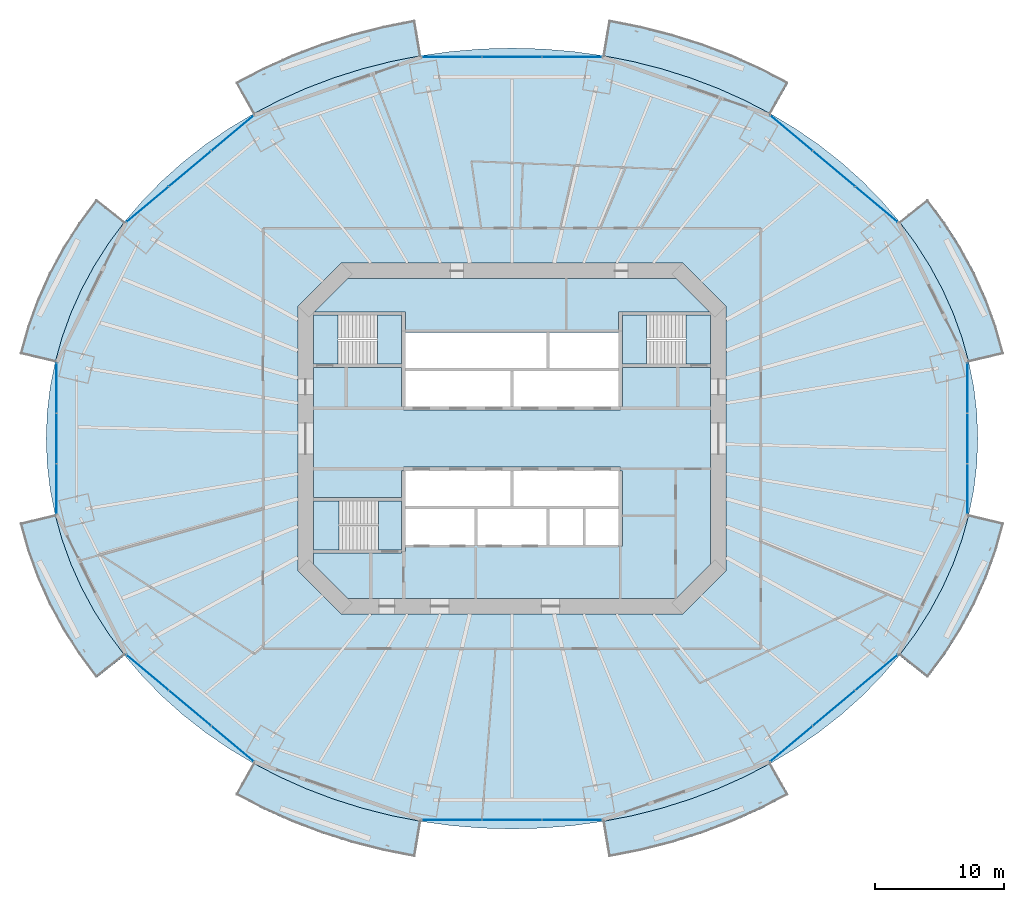
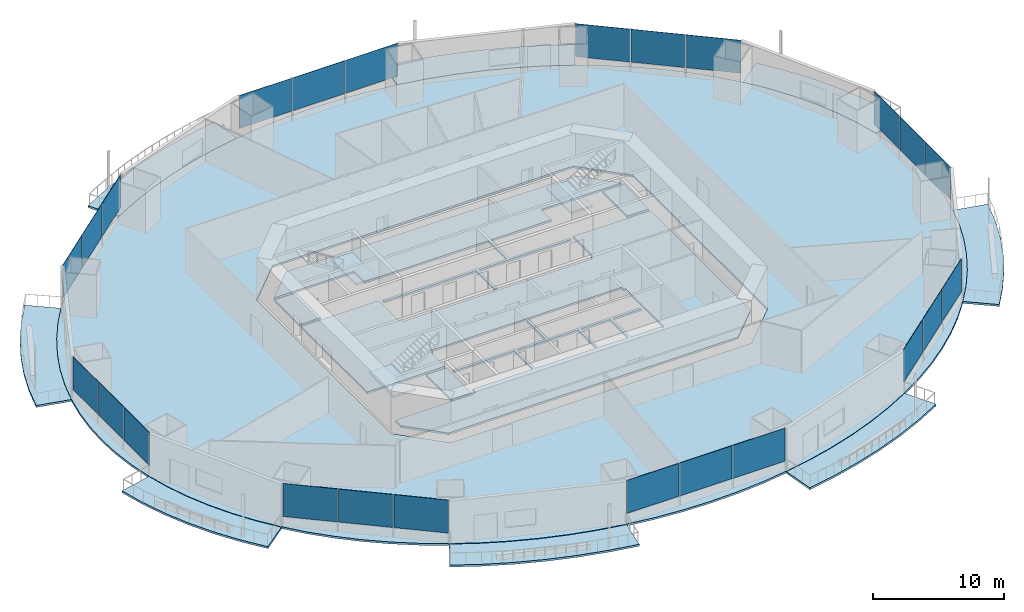
# One storey, part 13 of 23: 24 plates, 17 slabs, 11 elements without a shape of their own.
"""IFC4 building model written with IfcOpenShell, lengths in metres."""

import ifcopenshell
import ifcopenshell.guid

model = None  # the IFC model being written
_history = None  # IfcOwnerHistory: only IFC2X3 demands one
_inside = {}  # id of a spatial element -> (the spatial element, [elements in it])
_under = {}  # id of a project, library or spatial element -> (it, [spatial elements below it])
_declared = {}  # id of a project -> (the project, [libraries it declares])
_typed = {}  # id of a type object -> (the type object, [elements of that type])
_made_of = {}  # id of a material, layer set ... -> (it, [elements and type objects made of it])


def new_model(schema):
    """Start an empty IFC model of exactly this schema.

    Asked for "IFC4X3", IfcOpenShell would pick the latest addendum, in which some entities
    have other attributes; the version numbers below select the first issue.
    IFC2X3 requires an IfcOwnerHistory on every rooted entity: one is made here for all.
    """
    global model, _history
    if schema == "IFC4X3":
        model = ifcopenshell.file(schema_version=(4, 3, 0, 0))
    else:
        model = ifcopenshell.file(schema=schema)
    _inside.clear()
    _under.clear()
    _declared.clear()
    _typed.clear()
    _made_of.clear()
    _history = None
    if model.schema == "IFC2X3":
        org = make("IfcOrganization", Name="unknown")
        user = make(
            "IfcPersonAndOrganization",
            ThePerson=make("IfcPerson", FamilyName="unknown"),
            TheOrganization=org,
        )
        app = make(
            "IfcApplication",
            ApplicationDeveloper=org,
            Version="unknown",
            ApplicationFullName="unknown",
            ApplicationIdentifier="unknown",
        )
        _history = make(
            "IfcOwnerHistory",
            OwningUser=user,
            OwningApplication=app,
            ChangeAction="ADDED",
            CreationDate=0,
        )
    return model


def make(cls, **values):
    """One entity of the class cls with the attributes given. An attribute that is None is left unset."""
    return model.create_entity(
        cls, **{name: value for name, value in values.items() if value is not None}
    )


def rooted(cls, **values):
    """An entity with a GlobalId (a new one), such as an element, a storey or a relation."""
    return make(cls, GlobalId=ifcopenshell.guid.new(), OwnerHistory=_history, **values)


def si_unit(unit_type, name, prefix=None):
    """IfcSIUnit, for example si_unit("LENGTHUNIT", "METRE", prefix="MILLI")."""
    return make("IfcSIUnit", UnitType=unit_type, Prefix=prefix, Name=name)


def assignment(units):
    """IfcUnitAssignment: the units of a project."""
    return None if units is None else make("IfcUnitAssignment", Units=units)


def point(xyz):
    """IfcCartesianPoint."""
    return None if xyz is None else make("IfcCartesianPoint", Coordinates=xyz)


def direction(xyz):
    """IfcDirection."""
    return None if xyz is None else make("IfcDirection", DirectionRatios=xyz)


def frame(location, z_axis=None, x_axis=None):
    """IfcAxis2Placement3D, a coordinate frame: its origin and axes. An axis left out is left unset."""
    return make(
        "IfcAxis2Placement3D",
        Location=point(location),
        Axis=direction(z_axis),
        RefDirection=direction(x_axis),
    )


def frame_2d(location, x_axis=None):
    """IfcAxis2Placement2D, a coordinate frame in the plane: its origin and x axis."""
    return make(
        "IfcAxis2Placement2D", Location=point(location), RefDirection=direction(x_axis)
    )


def origin():
    """The frame at (0, 0, 0) with its axes left unset."""
    return frame((0.0, 0.0, 0.0))


def origin_2d():
    """The frame at (0, 0) in the plane with its x axis left unset."""
    return frame_2d((0.0, 0.0))


def place(relative_to, where):
    """IfcLocalPlacement: puts the frame where relative to a parent placement (None: the world)."""
    return make(
        "IfcLocalPlacement", PlacementRelTo=relative_to, RelativePlacement=where
    )


def context(
    kind, dimensions, precision=None, world=None, true_north=None, identifier=None
):
    """IfcGeometricRepresentationContext, for example the 3D "Model" context."""
    return make(
        "IfcGeometricRepresentationContext",
        ContextIdentifier=identifier,
        ContextType=kind,
        CoordinateSpaceDimension=dimensions,
        Precision=precision,
        WorldCoordinateSystem=world,
        TrueNorth=true_north,
    )


def subcontext(parent, identifier, kind, view, scale=None):
    """IfcGeometricRepresentationSubContext, for example "Body" below "Model"."""
    return make(
        "IfcGeometricRepresentationSubContext",
        ContextIdentifier=identifier,
        ContextType=kind,
        ParentContext=parent,
        TargetScale=scale,
        TargetView=view,
    )


def project(units=None, contexts=None):
    """IfcProject with its units and contexts."""
    return rooted(
        "IfcProject",
        Name="project",
        RepresentationContexts=contexts,
        UnitsInContext=assignment(units),
    )


def spatial(cls, under=None, at=None, **own):
    """A site, building, storey or space (cls), placed at a placement, below another one or the project."""
    s = rooted(cls, ObjectPlacement=at, **own)
    if under is not None:
        _under.setdefault(under.id(), (under, []))[1].append(s)
    return s


def polyline(points):
    """IfcPolyline through the points."""
    return make("IfcPolyline", Points=[point(p) for p in points])


def profile(cls, at=None, kind="AREA", **sizes):
    """A parametric profile (cls). Its sizes go by their IFC names, for example OverallWidth=200.0."""
    return make(cls, ProfileType=kind, Position=at, **sizes)


def rectangle(**sizes):
    """IfcRectangleProfileDef."""
    return profile("IfcRectangleProfileDef", **sizes)


def outline(outer, holes=None, kind="AREA"):
    """IfcArbitraryClosedProfileDef: a profile drawn as a closed curve; with holes, ...WithVoids."""
    if holes is None:
        return make("IfcArbitraryClosedProfileDef", ProfileType=kind, OuterCurve=outer)
    return make(
        "IfcArbitraryProfileDefWithVoids",
        ProfileType=kind,
        OuterCurve=outer,
        InnerCurves=holes,
    )


def extrude(swept, where, along, depth):
    """IfcExtrudedAreaSolid: the profile swept, set in the frame where, extruded along a direction by depth."""
    return make(
        "IfcExtrudedAreaSolid",
        SweptArea=swept,
        Position=where,
        ExtrudedDirection=direction(along),
        Depth=depth,
    )


def shape(context_of_items, identifier, shape_type, items):
    """IfcShapeRepresentation: the items that make up one representation, for example the "Body"."""
    return make(
        "IfcShapeRepresentation",
        ContextOfItems=context_of_items,
        RepresentationIdentifier=identifier,
        RepresentationType=shape_type,
        Items=items,
    )


def material(Name=None, Category=None):
    """IfcMaterial."""
    return make("IfcMaterial", Name=Name, Category=Category)


def layer(
    of_material, thickness, ventilated=None, Name=None, Category=None, Priority=None
):
    """IfcMaterialLayer: one layer of a wall or slab, of a material (None: an air gap)."""
    return make(
        "IfcMaterialLayer",
        Material=of_material,
        LayerThickness=thickness,
        IsVentilated=ventilated,
        Name=Name,
        Category=Category,
        Priority=Priority,
    )


def layer_set(layers, Name=None):
    """IfcMaterialLayerSet."""
    return make("IfcMaterialLayerSet", MaterialLayers=layers, LayerSetName=Name)


def made_of(thing, what):
    """Note that an element or type object is made of a material, layer set ...; save() writes the relation."""
    if what is not None:
        _made_of.setdefault(what.id(), (what, []))[1].append(thing)
    return thing


def type_object(cls, material=None, **own):
    """A type object (cls), such as IfcWallType, which elements share."""
    return made_of(rooted(cls, **own), material)


def element(
    cls,
    number,
    at=None,
    inside=None,
    cuts=None,
    type_object=None,
    material=None,
    context=None,
    identifier="Body",
    shape_type=None,
    held_by="IfcProductDefinitionShape",
    body=None,
    shapes=None,
    **own,
):
    """One element of the class cls, such as IfcWall. Its Tag is "e" and its number.

    at: its placement. inside: the storey or other place that contains it. cuts: it is an
    opening in that element (IfcRelVoidsElement). A single representation is given by context,
    identifier, shape_type and body (its items); several are given by shapes. held_by: the class
    of the entity that holds the representations. save() writes the other relations.
    """
    e = rooted(cls, Tag="e%d" % number, ObjectPlacement=at, **own)
    if body is not None:
        shapes = [shape(context, identifier, shape_type, body)]
    if shapes is not None:
        e.Representation = make(held_by, Representations=shapes)
    if inside is not None:
        _inside.setdefault(inside.id(), (inside, []))[1].append(e)
    if cuts is not None:
        rooted(
            "IfcRelVoidsElement", RelatingBuildingElement=cuts, RelatedOpeningElement=e
        )
    if type_object is not None:
        _typed.setdefault(type_object.id(), (type_object, []))[1].append(e)
    return made_of(e, material)


def aggregate(whole, parts):
    """IfcRelAggregates: a whole, such as a stair, and the parts it consists of."""
    return rooted("IfcRelAggregates", RelatingObject=whole, RelatedObjects=parts)


def save(model, path):
    """Write the relations noted so far, then the file.

    IfcRelAggregates (storeys below a building ...), IfcRelContainedInSpatialStructure (elements
    in a storey), IfcRelDefinesByType, IfcRelAssociatesMaterial and IfcRelDeclares: one each for
    every whole, place, type object, material and project.
    """
    for whole, parts in _under.values():
        aggregate(whole, parts)
    for where, things in _inside.values():
        rooted(
            "IfcRelContainedInSpatialStructure",
            RelatedElements=things,
            RelatingStructure=where,
        )
    for kind, things in _typed.values():
        rooted("IfcRelDefinesByType", RelatedObjects=things, RelatingType=kind)
    for what, things in _made_of.values():
        rooted("IfcRelAssociatesMaterial", RelatedObjects=things, RelatingMaterial=what)
    for by, libraries in _declared.values():
        rooted("IfcRelDeclares", RelatingContext=by, RelatedDefinitions=libraries)
    model.write(path)


model = new_model("IFC4")

# Units and contexts
model_context = context("Model", 3, precision=1e-05, world=origin(), true_north=direction((0.0, 1.0)))
body_context = subcontext(model_context, "Body", "Model", "MODEL_VIEW")
ifc_project = project(units=[si_unit("LENGTHUNIT", "METRE"), si_unit("AREAUNIT", "SQUARE_METRE"), si_unit("VOLUMEUNIT", "CUBIC_METRE"), si_unit("PLANEANGLEUNIT", "RADIAN"), si_unit("MASSUNIT", "GRAM", prefix="KILO")], contexts=[model_context])

# Site, building, storey
site_placement = place(None, origin())
site = spatial("IfcSite", under=ifc_project, at=site_placement, CompositionType="ELEMENT")
building_placement = place(site_placement, origin())
building = spatial("IfcBuilding", under=site, at=building_placement, Name="Marenthal Gate Tower", CompositionType="ELEMENT")
storey_placement = place(building_placement, frame((0.0, 0.0, 66.199951171875)))
storey = spatial("IfcBuildingStorey", under=building, at=storey_placement, Name="L12", CompositionType="ELEMENT", Elevation=66.199951171875)

# Slabs
ifc_material_1 = material(Name="Concrete 40 MPa", Category="concrete")
ifc_layer_1 = layer(ifc_material_1, 0.179931640625)
ifc_layer_set_1 = layer_set([ifc_layer_1], Name="Balcony deck 180")
slab_type_1 = type_object("IfcSlabType", Name="Balcony deck 180", PredefinedType="USERDEFINED", material=ifc_layer_set_1)
slab_1_placement = place(storey_placement, frame((0.0, 0.0, -0.219970703125)))
element("IfcSlab", 1, at=slab_1_placement, inside=storey, type_object=slab_type_1, Name="Balcony deck L12 bay 1", ObjectType="BALCONY", PredefinedType="USERDEFINED", context=body_context, shape_type="SweptSolid", body=[
    extrude(outline(polyline([(35.421142578125, 5.9052734375), (34.884521484375, 7.834228515625), (34.198486328125, 9.729736328125), (33.365966796875, 11.58349609375), (32.390625, 13.3876953125), (31.276611328125, 15.134521484375), (30.028564453125, 16.816650390625), (32.2177734375, 18.56201171875), (33.582275390625, 16.722900390625), (34.803955078125, 14.8076171875), (35.8759765625, 12.823974609375), (36.793701171875, 10.78076171875), (37.551513671875, 8.686767578125), (38.1455078125, 6.5517578125), (35.421142578125, 5.9052734375)])), origin(), (0.0, 0.0, 1.0), 0.179931640625),
])
slab_2_placement = place(storey_placement, frame((0.0, 0.0, -0.219970703125)))
element("IfcSlab", 2, at=slab_2_placement, inside=storey, type_object=slab_type_1, Name="Balcony deck L12 bay 3", ObjectType="BALCONY", PredefinedType="USERDEFINED", context=body_context, shape_type="SweptSolid", body=[
    extrude(outline(polyline([(20.064453125, 25.167724609375), (18.0576171875, 26.213623046875), (15.973388671875, 27.1474609375), (13.820556640625, 27.96484375), (11.60888671875, 28.66259765625), (9.34716796875, 29.237548828125), (7.045654296875, 29.6875), (7.506103515625, 32.44921875), (9.960693359375, 31.969482421875), (12.375, 31.355712890625), (14.739013671875, 30.610107421875), (17.042724609375, 29.735107421875), (19.277099609375, 28.734130859375), (21.4326171875, 27.61083984375), (20.064453125, 25.167724609375)])), origin(), (0.0, 0.0, 1.0), 0.179931640625),
])
slab_3_placement = place(storey_placement, frame((0.0, 0.0, -0.219970703125)))
element("IfcSlab", 3, at=slab_3_placement, inside=storey, type_object=slab_type_1, Name="Balcony deck L12 bay 5", ObjectType="BALCONY", PredefinedType="USERDEFINED", context=body_context, shape_type="SweptSolid", body=[
    extrude(outline(polyline([(-7.045654296875, 29.6875), (-9.34716796875, 29.237548828125), (-11.60888671875, 28.66259765625), (-13.820556640625, 27.96484375), (-15.973388671875, 27.1474609375), (-18.0576171875, 26.213623046875), (-20.064453125, 25.167724609375), (-21.4326171875, 27.61083984375), (-19.277099609375, 28.734130859375), (-17.042724609375, 29.735107421875), (-14.739013671875, 30.610107421875), (-12.375, 31.355712890625), (-9.960693359375, 31.969482421875), (-7.506103515625, 32.44921875), (-7.045654296875, 29.6875)])), origin(), (0.0, 0.0, 1.0), 0.179931640625),
])
slab_4_placement = place(storey_placement, frame((0.0, 0.0, -0.219970703125)))
element("IfcSlab", 4, at=slab_4_placement, inside=storey, type_object=slab_type_1, Name="Balcony deck L12 bay 7", ObjectType="BALCONY", PredefinedType="USERDEFINED", context=body_context, shape_type="SweptSolid", body=[
    extrude(outline(polyline([(-30.028564453125, 16.816650390625), (-31.276611328125, 15.134521484375), (-32.390625, 13.3876953125), (-33.365966796875, 11.58349609375), (-34.198486328125, 9.729736328125), (-34.884521484375, 7.834228515625), (-35.421142578125, 5.9052734375), (-38.1455078125, 6.5517578125), (-37.551513671875, 8.686767578125), (-36.793701171875, 10.78076171875), (-35.8759765625, 12.823974609375), (-34.803955078125, 14.8076171875), (-33.582275390625, 16.722900390625), (-32.2177734375, 18.56201171875), (-30.028564453125, 16.816650390625)])), origin(), (0.0, 0.0, 1.0), 0.179931640625),
])
slab_5_placement = place(storey_placement, frame((0.0, 0.0, -0.219970703125)))
element("IfcSlab", 5, at=slab_5_placement, inside=storey, type_object=slab_type_1, Name="Balcony deck L12 bay 9", ObjectType="BALCONY", PredefinedType="USERDEFINED", context=body_context, shape_type="SweptSolid", body=[
    extrude(outline(polyline([(-35.421142578125, -5.9052734375), (-34.884521484375, -7.834228515625), (-34.198486328125, -9.729736328125), (-33.365966796875, -11.58349609375), (-32.390625, -13.3876953125), (-31.276611328125, -15.134521484375), (-30.028564453125, -16.816650390625), (-32.2177734375, -18.56201171875), (-33.582275390625, -16.722900390625), (-34.803955078125, -14.8076171875), (-35.8759765625, -12.823974609375), (-36.793701171875, -10.78076171875), (-37.551513671875, -8.686767578125), (-38.1455078125, -6.5517578125), (-35.421142578125, -5.9052734375)])), origin(), (0.0, 0.0, 1.0), 0.179931640625),
])
slab_6_placement = place(storey_placement, frame((0.0, 0.0, -0.219970703125)))
element("IfcSlab", 6, at=slab_6_placement, inside=storey, type_object=slab_type_1, Name="Balcony deck L12 bay 11", ObjectType="BALCONY", PredefinedType="USERDEFINED", context=body_context, shape_type="SweptSolid", body=[
    extrude(outline(polyline([(-20.064453125, -25.167724609375), (-18.0576171875, -26.213623046875), (-15.973388671875, -27.1474609375), (-13.820556640625, -27.96484375), (-11.60888671875, -28.66259765625), (-9.34716796875, -29.237548828125), (-7.045654296875, -29.6875), (-7.506103515625, -32.44921875), (-9.960693359375, -31.969482421875), (-12.375, -31.355712890625), (-14.739013671875, -30.610107421875), (-17.042724609375, -29.735107421875), (-19.277099609375, -28.734130859375), (-21.4326171875, -27.61083984375), (-20.064453125, -25.167724609375)])), origin(), (0.0, 0.0, 1.0), 0.179931640625),
])
slab_7_placement = place(storey_placement, frame((0.0, 0.0, -0.219970703125)))
element("IfcSlab", 7, at=slab_7_placement, inside=storey, type_object=slab_type_1, Name="Balcony deck L12 bay 13", ObjectType="BALCONY", PredefinedType="USERDEFINED", context=body_context, shape_type="SweptSolid", body=[
    extrude(outline(polyline([(7.045654296875, -29.6875), (9.34716796875, -29.237548828125), (11.60888671875, -28.66259765625), (13.820556640625, -27.96484375), (15.973388671875, -27.1474609375), (18.0576171875, -26.213623046875), (20.064453125, -25.167724609375), (21.4326171875, -27.61083984375), (19.277099609375, -28.734130859375), (17.042724609375, -29.735107421875), (14.739013671875, -30.610107421875), (12.375, -31.355712890625), (9.960693359375, -31.969482421875), (7.506103515625, -32.44921875), (7.045654296875, -29.6875)])), origin(), (0.0, 0.0, 1.0), 0.179931640625),
])
slab_8_placement = place(storey_placement, frame((0.0, 0.0, -0.219970703125)))
element("IfcSlab", 8, at=slab_8_placement, inside=storey, type_object=slab_type_1, Name="Balcony deck L12 bay 15", ObjectType="BALCONY", PredefinedType="USERDEFINED", context=body_context, shape_type="SweptSolid", body=[
    extrude(outline(polyline([(30.028564453125, -16.816650390625), (31.276611328125, -15.134521484375), (32.390625, -13.3876953125), (33.365966796875, -11.58349609375), (34.198486328125, -9.729736328125), (34.884521484375, -7.834228515625), (35.421142578125, -5.9052734375), (38.1455078125, -6.5517578125), (37.551513671875, -8.686767578125), (36.793701171875, -10.78076171875), (35.8759765625, -12.823974609375), (34.803955078125, -14.8076171875), (33.582275390625, -16.722900390625), (32.2177734375, -18.56201171875), (30.028564453125, -16.816650390625)])), origin(), (0.0, 0.0, 1.0), 0.179931640625),
])
ifc_material_2 = material(Name="Concrete 50 MPa", Category="concrete")
ifc_layer_2 = layer(ifc_material_2, 0.179931640625)
ifc_layer_set_2 = layer_set([ifc_layer_2], Name="Core floor slab 180")
slab_type_2 = type_object("IfcSlabType", Name="Core floor slab 180", PredefinedType="FLOOR", material=ifc_layer_set_2)
slab_9_placement = place(storey_placement, frame((0.0, 0.0, -0.179931640625)))
element("IfcSlab", 9, at=slab_9_placement, inside=storey, type_object=slab_type_2, Name="Core floor L12", PredefinedType="FLOOR", context=body_context, shape_type="SweptSolid", body=[
    extrude(outline(polyline([(15.39990234375, -9.75146484375), (12.75146484375, -12.39990234375), (-12.75146484375, -12.39990234375), (-15.39990234375, -9.75146484375), (-15.39990234375, -8.875), (-8.550048828125, -8.875), (-8.550048828125, -8.75), (-8.25, -8.75), (-8.25, -8.239990234375), (-5.60009765625, -8.239990234375), (-2.909912109375, -8.239990234375), (-2.909912109375, -5.4599609375), (-5.60009765625, -5.4599609375), (-8.25, -5.4599609375), (-8.25, -5.239990234375), (-5.60009765625, -5.239990234375), (-2.800048828125, -5.239990234375), (-0.110107421875, -5.239990234375), (-0.110107421875, -2.5), (0.110107421875, -2.5), (0.110107421875, -5.239990234375), (2.800048828125, -5.239990234375), (5.60009765625, -5.239990234375), (8.25, -5.239990234375), (8.25, -5.4599609375), (5.7099609375, -5.4599609375), (5.7099609375, -8.239990234375), (8.25, -8.239990234375), (8.25, -8.35009765625), (8.550048828125, -8.35009765625), (8.550048828125, -2.5), (8.39990234375, -2.5), (8.39990234375, -2.199951171875), (-8.39990234375, -2.199951171875), (-8.39990234375, -2.5), (-8.550048828125, -2.5), (-8.550048828125, -4.574951171875), (-15.39990234375, -4.574951171875), (-15.39990234375, 5.52490234375), (-8.550048828125, 5.52490234375), (-8.550048828125, 2.5), (-8.39990234375, 2.5), (-8.39990234375, 2.199951171875), (8.39990234375, 2.199951171875), (8.39990234375, 2.5), (8.550048828125, 2.5), (8.550048828125, 5.52490234375), (15.39990234375, 5.52490234375), (15.39990234375, -9.75146484375)]), holes=[polyline([(2.68994140625, -5.4599609375), (0.0, -5.4599609375), (-2.68994140625, -5.4599609375), (-2.68994140625, -8.239990234375), (0.0, -8.239990234375), (2.68994140625, -8.239990234375), (2.68994140625, -5.4599609375)]), polyline([(5.489990234375, -5.4599609375), (2.909912109375, -5.4599609375), (2.909912109375, -8.239990234375), (5.489990234375, -8.239990234375), (5.489990234375, -5.4599609375)])]), origin(), (0.0, 0.0, 1.0), 0.179931640625),
])
slab_10_placement = place(storey_placement, frame((0.0, 0.0, -0.179931640625)))
element("IfcSlab", 10, at=slab_10_placement, inside=storey, type_object=slab_type_2, Name="Core floor L12", PredefinedType="FLOOR", context=body_context, shape_type="SweptSolid", body=[
    extrude(outline(polyline([(15.39990234375, 5.77490234375), (13.5, 5.77490234375), (13.5, 9.574951171875), (15.39990234375, 9.574951171875), (15.39990234375, 5.77490234375)])), origin(), (0.0, 0.0, 1.0), 0.179931640625),
])
slab_11_placement = place(storey_placement, frame((0.0, 0.0, -0.179931640625)))
element("IfcSlab", 11, at=slab_11_placement, inside=storey, type_object=slab_type_2, Name="Core floor L12", PredefinedType="FLOOR", context=body_context, shape_type="SweptSolid", body=[
    extrude(outline(polyline([(12.75146484375, 12.39990234375), (15.326416015625, 9.824951171875), (8.550048828125, 9.824951171875), (8.25, 9.824951171875), (8.25, 8.35009765625), (8.25, 8.239990234375), (5.60009765625, 8.239990234375), (2.909912109375, 8.239990234375), (2.909912109375, 5.4599609375), (5.60009765625, 5.4599609375), (8.25, 5.4599609375), (8.25, 5.239990234375), (5.60009765625, 5.239990234375), (2.800048828125, 5.239990234375), (0.110107421875, 5.239990234375), (0.110107421875, 2.5), (-0.110107421875, 2.5), (-0.110107421875, 5.239990234375), (-2.800048828125, 5.239990234375), (-5.60009765625, 5.239990234375), (-8.25, 5.239990234375), (-8.25, 5.4599609375), (-5.60009765625, 5.4599609375), (-2.800048828125, 5.4599609375), (0.0, 5.4599609375), (2.68994140625, 5.4599609375), (2.68994140625, 8.239990234375), (0.0, 8.239990234375), (-2.800048828125, 8.239990234375), (-5.60009765625, 8.239990234375), (-8.25, 8.239990234375), (-8.25, 8.35009765625), (-8.25, 9.824951171875), (-8.550048828125, 9.824951171875), (-15.326416015625, 9.824951171875), (-12.75146484375, 12.39990234375), (12.75146484375, 12.39990234375)])), origin(), (0.0, 0.0, 1.0), 0.179931640625),
])
slab_12_placement = place(storey_placement, frame((0.0, 0.0, -0.179931640625)))
element("IfcSlab", 12, at=slab_12_placement, inside=storey, type_object=slab_type_2, Name="Core floor L12", PredefinedType="FLOOR", context=body_context, shape_type="SweptSolid", body=[
    extrude(outline(polyline([(-15.39990234375, 9.574951171875), (-13.5, 9.574951171875), (-13.5, 5.77490234375), (-15.39990234375, 5.77490234375), (-15.39990234375, 9.574951171875)])), origin(), (0.0, 0.0, 1.0), 0.179931640625),
])
slab_13_placement = place(storey_placement, frame((0.0, 0.0, -0.179931640625)))
element("IfcSlab", 13, at=slab_13_placement, inside=storey, type_object=slab_type_2, Name="Core floor L12", PredefinedType="FLOOR", context=body_context, shape_type="SweptSolid", body=[
    extrude(outline(polyline([(-8.550048828125, -8.625), (-10.35009765625, -8.625), (-10.35009765625, -4.824951171875), (-8.550048828125, -4.824951171875), (-8.550048828125, -8.625)])), origin(), (0.0, 0.0, 1.0), 0.179931640625),
])
ifc_material_3 = material(Name="Concrete 35 MPa", Category="concrete")
ifc_layer_3 = layer(ifc_material_3, 0.179931640625)
ifc_layer_set_3 = layer_set([ifc_layer_3], Name="Floor slab 180")
slab_type_3 = type_object("IfcSlabType", Name="Floor slab 180", PredefinedType="FLOOR", material=ifc_layer_set_3)
slab_14_placement = place(storey_placement, frame((0.0, 0.0, -0.179931640625)))
element("IfcSlab", 14, at=slab_14_placement, inside=storey, type_object=slab_type_3, Name="SL-L12-01", PredefinedType="FLOOR", context=body_context, shape_type="SweptSolid", body=[
    extrude(outline(polyline([(36.114990234375, 0.0), (36.03759765625, 1.979736328125), (35.805908203125, 3.950927734375), (35.421142578125, 5.9052734375), (34.884521484375, 7.834228515625), (34.198486328125, 9.729736328125), (33.365966796875, 11.58349609375), (32.390625, 13.3876953125), (31.276611328125, 15.134521484375), (30.028564453125, 16.816650390625), (28.652099609375, 18.426513671875), (27.152587890625, 19.957763671875), (25.537109375, 21.4033203125), (23.812255859375, 22.75732421875), (21.9853515625, 24.013916015625), (20.064453125, 25.167724609375), (18.0576171875, 26.213623046875), (15.973388671875, 27.1474609375), (13.820556640625, 27.96484375), (11.60888671875, 28.66259765625), (9.34716796875, 29.237548828125), (7.045654296875, 29.6875), (4.714111328125, 30.010009765625), (2.362060546875, 30.2041015625), (0.0, 30.26904296875), (-2.362060546875, 30.2041015625), (-4.714111328125, 30.010009765625), (-7.045654296875, 29.6875), (-9.34716796875, 29.237548828125), (-11.60888671875, 28.66259765625), (-13.820556640625, 27.96484375), (-15.973388671875, 27.1474609375), (-18.0576171875, 26.213623046875), (-20.064453125, 25.167724609375), (-21.9853515625, 24.013916015625), (-23.812255859375, 22.75732421875), (-25.537109375, 21.4033203125), (-27.152587890625, 19.957763671875), (-28.652099609375, 18.426513671875), (-30.028564453125, 16.816650390625), (-31.276611328125, 15.134521484375), (-32.390625, 13.3876953125), (-33.365966796875, 11.58349609375), (-34.198486328125, 9.729736328125), (-34.884521484375, 7.834228515625), (-35.421142578125, 5.9052734375), (-35.805908203125, 3.950927734375), (-36.03759765625, 1.979736328125), (-36.114990234375, 0.0), (-36.03759765625, -1.979736328125), (-35.805908203125, -3.950927734375), (-35.421142578125, -5.9052734375), (-34.884521484375, -7.834228515625), (-34.198486328125, -9.729736328125), (-33.365966796875, -11.58349609375), (-32.390625, -13.3876953125), (-31.276611328125, -15.134521484375), (-30.028564453125, -16.816650390625), (-28.652099609375, -18.426513671875), (-27.152587890625, -19.957763671875), (-25.537109375, -21.4033203125), (-23.812255859375, -22.75732421875), (-21.9853515625, -24.013916015625), (-20.064453125, -25.167724609375), (-18.0576171875, -26.213623046875), (-15.973388671875, -27.1474609375), (-13.820556640625, -27.96484375), (-11.60888671875, -28.66259765625), (-9.34716796875, -29.237548828125), (-7.045654296875, -29.6875), (-4.714111328125, -30.010009765625), (-2.362060546875, -30.2041015625), (0.0, -30.26904296875), (2.362060546875, -30.2041015625), (4.714111328125, -30.010009765625), (7.045654296875, -29.6875), (9.34716796875, -29.237548828125), (11.60888671875, -28.66259765625), (13.820556640625, -27.96484375), (15.973388671875, -27.1474609375), (18.0576171875, -26.213623046875), (20.064453125, -25.167724609375), (21.9853515625, -24.013916015625), (23.812255859375, -22.75732421875), (25.537109375, -21.4033203125), (27.152587890625, -19.957763671875), (28.652099609375, -18.426513671875), (30.028564453125, -16.816650390625), (31.276611328125, -15.134521484375), (32.390625, -13.3876953125), (33.365966796875, -11.58349609375), (34.198486328125, -9.729736328125), (34.884521484375, -7.834228515625), (35.421142578125, -5.9052734375), (35.805908203125, -3.950927734375), (36.03759765625, -1.979736328125), (36.114990234375, 0.0)]), holes=[polyline([(13.24853515625, -13.60009765625), (16.60009765625, -10.24853515625), (16.60009765625, 10.24853515625), (13.24853515625, 13.60009765625), (-13.24853515625, 13.60009765625), (-16.60009765625, 10.24853515625), (-16.60009765625, -10.24853515625), (-13.24853515625, -13.60009765625), (13.24853515625, -13.60009765625)])]), origin(), (0.0, 0.0, 1.0), 0.179931640625),
])

# Curtain wall, plates
ifc_material_4 = material(Name="Aluminium and glass", Category="aluminium")
curtain_wall_type = type_object("IfcCurtainWallType", Name="Curtain wall typical low", PredefinedType="NOTDEFINED", material=ifc_material_4)
curtain_wall_1_placement = place(storey_placement, origin())
curtain_wall_1 = element("IfcCurtainWall", 15, at=curtain_wall_1_placement, inside=storey, type_object=curtain_wall_type, Name="Curtain wall L12 bay 2", PredefinedType="NOTDEFINED")
ifc_material_5 = material(Name="Glass, laminated insulating unit", Category="glass")
ifc_layer_4 = layer(ifc_material_5, 0.030029296875)
ifc_layer_set_4 = layer_set([ifc_layer_4], Name="Glass panel 30 typical low")
plate_type = type_object("IfcPlateType", Name="Glass panel 30 typical low", PredefinedType="CURTAIN_PANEL", material=ifc_layer_set_4)
plate_1_placement = place(storey_placement, frame((28.25830078125, 18.149169921875, 0.89990234375), z_axis=(0.0, 0.0, 1.0), x_axis=(-0.766611059497, 0.642111737517, 0.0)))
plate_1 = element("IfcPlate", 16, at=plate_1_placement, type_object=plate_type, Name="Glass panel L12 bay 2.1", PredefinedType="CURTAIN_PANEL", context=body_context, shape_type="SweptSolid", body=[
    extrude(rectangle(XDim=4.238037109375, YDim=0.030029296875, at=origin_2d()), origin(), (0.0, 0.0, 1.0), 3.070068359375),
])
plate_2_placement = place(storey_placement, frame((24.963134765625, 20.908935546875, 0.89990234375), z_axis=(0.0, 0.0, 1.0), x_axis=(-0.766611059497, 0.642111737517, 0.0)))
plate_2 = element("IfcPlate", 17, at=plate_2_placement, type_object=plate_type, Name="Glass panel L12 bay 2.2", PredefinedType="CURTAIN_PANEL", context=body_context, shape_type="SweptSolid", body=[
    extrude(rectangle(XDim=4.238037109375, YDim=0.030029296875, at=origin_2d()), origin(), (0.0, 0.0, 1.0), 3.070068359375),
])
plate_3_placement = place(storey_placement, frame((21.668212890625, 23.668701171875, 0.89990234375), z_axis=(0.0, 0.0, 1.0), x_axis=(-0.766611059497, 0.642111737517, 0.0)))
plate_3 = element("IfcPlate", 18, at=plate_3_placement, type_object=plate_type, Name="Glass panel L12 bay 2.3", PredefinedType="CURTAIN_PANEL", context=body_context, shape_type="SweptSolid", body=[
    extrude(rectangle(XDim=4.238037109375, YDim=0.030029296875, at=origin_2d()), origin(), (0.0, 0.0, 1.0), 3.070068359375),
])
aggregate(curtain_wall_1, [plate_1, plate_2, plate_3])

curtain_wall_2_placement = place(storey_placement, origin())
curtain_wall_2 = element("IfcCurtainWall", 19, at=curtain_wall_2_placement, inside=storey, type_object=curtain_wall_type, Name="Curtain wall L12 bay 4", PredefinedType="NOTDEFINED")
plate_4_placement = place(storey_placement, frame((4.66162109375, 29.569580078125, 0.89990234375), z_axis=(0.0, 0.0, 1.0), x_axis=(-1.0, 0.0, 0.0)))
plate_4 = element("IfcPlate", 20, at=plate_4_placement, type_object=plate_type, Name="Glass panel L12 bay 4.1", PredefinedType="CURTAIN_PANEL", context=body_context, shape_type="SweptSolid", body=[
    extrude(rectangle(XDim=4.6015625, YDim=0.030029296875, at=origin_2d()), origin(), (0.0, 0.0, 1.0), 3.070068359375),
])
plate_5_placement = place(storey_placement, frame((0.0, 29.569580078125, 0.89990234375), z_axis=(0.0, 0.0, 1.0), x_axis=(-1.0, 0.0, 0.0)))
plate_5 = element("IfcPlate", 21, at=plate_5_placement, type_object=plate_type, Name="Glass panel L12 bay 4.2", PredefinedType="CURTAIN_PANEL", context=body_context, shape_type="SweptSolid", body=[
    extrude(rectangle(XDim=4.6015625, YDim=0.030029296875, at=origin_2d()), origin(), (0.0, 0.0, 1.0), 3.070068359375),
])
plate_6_placement = place(storey_placement, frame((-4.66162109375, 29.569580078125, 0.89990234375), z_axis=(0.0, 0.0, 1.0), x_axis=(-1.0, 0.0, 0.0)))
plate_6 = element("IfcPlate", 22, at=plate_6_placement, type_object=plate_type, Name="Glass panel L12 bay 4.3", PredefinedType="CURTAIN_PANEL", context=body_context, shape_type="SweptSolid", body=[
    extrude(rectangle(XDim=4.6015625, YDim=0.030029296875, at=origin_2d()), origin(), (0.0, 0.0, 1.0), 3.070068359375),
])
aggregate(curtain_wall_2, [plate_4, plate_5, plate_6])

curtain_wall_3_placement = place(storey_placement, origin())
curtain_wall_3 = element("IfcCurtainWall", 23, at=curtain_wall_3_placement, inside=storey, type_object=curtain_wall_type, Name="Curtain wall L12 bay 6", PredefinedType="NOTDEFINED")
plate_7_placement = place(storey_placement, frame((-21.668212890625, 23.668701171875, 0.89990234375), z_axis=(0.0, 0.0, 1.0), x_axis=(-0.766611059497, -0.642111737517, 0.0)))
plate_7 = element("IfcPlate", 24, at=plate_7_placement, type_object=plate_type, Name="Glass panel L12 bay 6.1", PredefinedType="CURTAIN_PANEL", context=body_context, shape_type="SweptSolid", body=[
    extrude(rectangle(XDim=4.238037109375, YDim=0.030029296875, at=origin_2d()), origin(), (0.0, 0.0, 1.0), 3.070068359375),
])
plate_8_placement = place(storey_placement, frame((-24.963134765625, 20.908935546875, 0.89990234375), z_axis=(0.0, 0.0, 1.0), x_axis=(-0.766611059497, -0.642111737517, 0.0)))
plate_8 = element("IfcPlate", 25, at=plate_8_placement, type_object=plate_type, Name="Glass panel L12 bay 6.2", PredefinedType="CURTAIN_PANEL", context=body_context, shape_type="SweptSolid", body=[
    extrude(rectangle(XDim=4.238037109375, YDim=0.030029296875, at=origin_2d()), origin(), (0.0, 0.0, 1.0), 3.070068359375),
])
plate_9_placement = place(storey_placement, frame((-28.25830078125, 18.149169921875, 0.89990234375), z_axis=(0.0, 0.0, 1.0), x_axis=(-0.766611059497, -0.642111737517, 0.0)))
plate_9 = element("IfcPlate", 26, at=plate_9_placement, type_object=plate_type, Name="Glass panel L12 bay 6.3", PredefinedType="CURTAIN_PANEL", context=body_context, shape_type="SweptSolid", body=[
    extrude(rectangle(XDim=4.238037109375, YDim=0.030029296875, at=origin_2d()), origin(), (0.0, 0.0, 1.0), 3.070068359375),
])
aggregate(curtain_wall_3, [plate_7, plate_8, plate_9])

curtain_wall_4_placement = place(storey_placement, origin())
curtain_wall_4 = element("IfcCurtainWall", 27, at=curtain_wall_4_placement, inside=storey, type_object=curtain_wall_type, Name="Curtain wall L12 bay 8", PredefinedType="NOTDEFINED")
plate_10_placement = place(storey_placement, frame((-35.303466796875, 3.901123046875, 0.89990234375), z_axis=(0.0, 0.0, 1.0), x_axis=(0.0, -1.0, 0.0)))
plate_10 = element("IfcPlate", 28, at=plate_10_placement, type_object=plate_type, Name="Glass panel L12 bay 8.1", PredefinedType="CURTAIN_PANEL", context=body_context, shape_type="SweptSolid", body=[
    extrude(rectangle(XDim=3.84130859375, YDim=0.030029296875, at=origin_2d()), origin(), (0.0, 0.0, 1.0), 3.070068359375),
])
plate_11_placement = place(storey_placement, frame((-35.303466796875, 0.0, 0.89990234375), z_axis=(0.0, 0.0, 1.0), x_axis=(0.0, -1.0, 0.0)))
plate_11 = element("IfcPlate", 29, at=plate_11_placement, type_object=plate_type, Name="Glass panel L12 bay 8.2", PredefinedType="CURTAIN_PANEL", context=body_context, shape_type="SweptSolid", body=[
    extrude(rectangle(XDim=3.84130859375, YDim=0.030029296875, at=origin_2d()), origin(), (0.0, 0.0, 1.0), 3.070068359375),
])
plate_12_placement = place(storey_placement, frame((-35.303466796875, -3.901123046875, 0.89990234375), z_axis=(0.0, 0.0, 1.0), x_axis=(0.0, -1.0, 0.0)))
plate_12 = element("IfcPlate", 30, at=plate_12_placement, type_object=plate_type, Name="Glass panel L12 bay 8.3", PredefinedType="CURTAIN_PANEL", context=body_context, shape_type="SweptSolid", body=[
    extrude(rectangle(XDim=3.84130859375, YDim=0.030029296875, at=origin_2d()), origin(), (0.0, 0.0, 1.0), 3.070068359375),
])
aggregate(curtain_wall_4, [plate_10, plate_11, plate_12])

curtain_wall_5_placement = place(storey_placement, origin())
curtain_wall_5 = element("IfcCurtainWall", 31, at=curtain_wall_5_placement, inside=storey, type_object=curtain_wall_type, Name="Curtain wall L12 bay 10", PredefinedType="NOTDEFINED")
plate_13_placement = place(storey_placement, frame((-28.25830078125, -18.149169921875, 0.89990234375), z_axis=(0.0, 0.0, 1.0), x_axis=(0.766611059497, -0.642111737517, 0.0)))
plate_13 = element("IfcPlate", 32, at=plate_13_placement, type_object=plate_type, Name="Glass panel L12 bay 10.1", PredefinedType="CURTAIN_PANEL", context=body_context, shape_type="SweptSolid", body=[
    extrude(rectangle(XDim=4.238037109375, YDim=0.030029296875, at=origin_2d()), origin(), (0.0, 0.0, 1.0), 3.070068359375),
])
plate_14_placement = place(storey_placement, frame((-24.963134765625, -20.908935546875, 0.89990234375), z_axis=(0.0, 0.0, 1.0), x_axis=(0.766611059497, -0.642111737517, 0.0)))
plate_14 = element("IfcPlate", 33, at=plate_14_placement, type_object=plate_type, Name="Glass panel L12 bay 10.2", PredefinedType="CURTAIN_PANEL", context=body_context, shape_type="SweptSolid", body=[
    extrude(rectangle(XDim=4.238037109375, YDim=0.030029296875, at=origin_2d()), origin(), (0.0, 0.0, 1.0), 3.070068359375),
])
plate_15_placement = place(storey_placement, frame((-21.668212890625, -23.668701171875, 0.89990234375), z_axis=(0.0, 0.0, 1.0), x_axis=(0.766611059497, -0.642111737517, 0.0)))
plate_15 = element("IfcPlate", 34, at=plate_15_placement, type_object=plate_type, Name="Glass panel L12 bay 10.3", PredefinedType="CURTAIN_PANEL", context=body_context, shape_type="SweptSolid", body=[
    extrude(rectangle(XDim=4.238037109375, YDim=0.030029296875, at=origin_2d()), origin(), (0.0, 0.0, 1.0), 3.070068359375),
])
aggregate(curtain_wall_5, [plate_13, plate_14, plate_15])

curtain_wall_6_placement = place(storey_placement, origin())
curtain_wall_6 = element("IfcCurtainWall", 35, at=curtain_wall_6_placement, inside=storey, type_object=curtain_wall_type, Name="Curtain wall L12 bay 12", PredefinedType="NOTDEFINED")
plate_16_placement = place(storey_placement, frame((-4.66162109375, -29.569580078125, 0.89990234375), z_axis=(0.0, 0.0, 1.0), x_axis=(1.0, 0.0, 0.0)))
plate_16 = element("IfcPlate", 36, at=plate_16_placement, type_object=plate_type, Name="Glass panel L12 bay 12.1", PredefinedType="CURTAIN_PANEL", context=body_context, shape_type="SweptSolid", body=[
    extrude(rectangle(XDim=4.6015625, YDim=0.030029296875, at=origin_2d()), origin(), (0.0, 0.0, 1.0), 3.070068359375),
])
plate_17_placement = place(storey_placement, frame((0.0, -29.569580078125, 0.89990234375), z_axis=(0.0, 0.0, 1.0), x_axis=(1.0, 0.0, 0.0)))
plate_17 = element("IfcPlate", 37, at=plate_17_placement, type_object=plate_type, Name="Glass panel L12 bay 12.2", PredefinedType="CURTAIN_PANEL", context=body_context, shape_type="SweptSolid", body=[
    extrude(rectangle(XDim=4.6015625, YDim=0.030029296875, at=origin_2d()), origin(), (0.0, 0.0, 1.0), 3.070068359375),
])
plate_18_placement = place(storey_placement, frame((4.66162109375, -29.569580078125, 0.89990234375), z_axis=(0.0, 0.0, 1.0), x_axis=(1.0, 0.0, 0.0)))
plate_18 = element("IfcPlate", 38, at=plate_18_placement, type_object=plate_type, Name="Glass panel L12 bay 12.3", PredefinedType="CURTAIN_PANEL", context=body_context, shape_type="SweptSolid", body=[
    extrude(rectangle(XDim=4.6015625, YDim=0.030029296875, at=origin_2d()), origin(), (0.0, 0.0, 1.0), 3.070068359375),
])
aggregate(curtain_wall_6, [plate_16, plate_17, plate_18])

curtain_wall_7_placement = place(storey_placement, origin())
curtain_wall_7 = element("IfcCurtainWall", 39, at=curtain_wall_7_placement, inside=storey, type_object=curtain_wall_type, Name="Curtain wall L12 bay 14", PredefinedType="NOTDEFINED")
plate_19_placement = place(storey_placement, frame((21.668212890625, -23.668701171875, 0.89990234375), z_axis=(0.0, 0.0, 1.0), x_axis=(0.766611059497, 0.642111737517, 0.0)))
plate_19 = element("IfcPlate", 40, at=plate_19_placement, type_object=plate_type, Name="Glass panel L12 bay 14.1", PredefinedType="CURTAIN_PANEL", context=body_context, shape_type="SweptSolid", body=[
    extrude(rectangle(XDim=4.238037109375, YDim=0.030029296875, at=origin_2d()), origin(), (0.0, 0.0, 1.0), 3.070068359375),
])
plate_20_placement = place(storey_placement, frame((24.963134765625, -20.908935546875, 0.89990234375), z_axis=(0.0, 0.0, 1.0), x_axis=(0.766611059497, 0.642111737517, 0.0)))
plate_20 = element("IfcPlate", 41, at=plate_20_placement, type_object=plate_type, Name="Glass panel L12 bay 14.2", PredefinedType="CURTAIN_PANEL", context=body_context, shape_type="SweptSolid", body=[
    extrude(rectangle(XDim=4.238037109375, YDim=0.030029296875, at=origin_2d()), origin(), (0.0, 0.0, 1.0), 3.070068359375),
])
plate_21_placement = place(storey_placement, frame((28.25830078125, -18.149169921875, 0.89990234375), z_axis=(0.0, 0.0, 1.0), x_axis=(0.766611059497, 0.642111737517, 0.0)))
plate_21 = element("IfcPlate", 42, at=plate_21_placement, type_object=plate_type, Name="Glass panel L12 bay 14.3", PredefinedType="CURTAIN_PANEL", context=body_context, shape_type="SweptSolid", body=[
    extrude(rectangle(XDim=4.238037109375, YDim=0.030029296875, at=origin_2d()), origin(), (0.0, 0.0, 1.0), 3.070068359375),
])
aggregate(curtain_wall_7, [plate_19, plate_20, plate_21])

curtain_wall_8_placement = place(storey_placement, origin())
curtain_wall_8 = element("IfcCurtainWall", 43, at=curtain_wall_8_placement, inside=storey, type_object=curtain_wall_type, Name="Curtain wall L12 bay 16", PredefinedType="NOTDEFINED")
plate_22_placement = place(storey_placement, frame((35.303466796875, -3.901123046875, 0.89990234375), z_axis=(0.0, 0.0, 1.0), x_axis=(0.0, 1.0, 0.0)))
plate_22 = element("IfcPlate", 44, at=plate_22_placement, type_object=plate_type, Name="Glass panel L12 bay 16.1", PredefinedType="CURTAIN_PANEL", context=body_context, shape_type="SweptSolid", body=[
    extrude(rectangle(XDim=3.84130859375, YDim=0.030029296875, at=origin_2d()), origin(), (0.0, 0.0, 1.0), 3.070068359375),
])
plate_23_placement = place(storey_placement, frame((35.303466796875, 0.0, 0.89990234375), z_axis=(0.0, 0.0, 1.0), x_axis=(0.0, 1.0, 0.0)))
plate_23 = element("IfcPlate", 45, at=plate_23_placement, type_object=plate_type, Name="Glass panel L12 bay 16.2", PredefinedType="CURTAIN_PANEL", context=body_context, shape_type="SweptSolid", body=[
    extrude(rectangle(XDim=3.84130859375, YDim=0.030029296875, at=origin_2d()), origin(), (0.0, 0.0, 1.0), 3.070068359375),
])
plate_24_placement = place(storey_placement, frame((35.303466796875, 3.901123046875, 0.89990234375), z_axis=(0.0, 0.0, 1.0), x_axis=(0.0, 1.0, 0.0)))
plate_24 = element("IfcPlate", 46, at=plate_24_placement, type_object=plate_type, Name="Glass panel L12 bay 16.3", PredefinedType="CURTAIN_PANEL", context=body_context, shape_type="SweptSolid", body=[
    extrude(rectangle(XDim=3.84130859375, YDim=0.030029296875, at=origin_2d()), origin(), (0.0, 0.0, 1.0), 3.070068359375),
])
aggregate(curtain_wall_8, [plate_22, plate_23, plate_24])

# Stair, slab
ifc_material_6 = material(Name="Concrete 40 MPa", Category="concrete")
stair_type = type_object("IfcStairType", Name="Exit stair 1800", PredefinedType="HALF_TURN_STAIR", material=ifc_material_6)
stair_1_placement = place(storey_placement, origin())
stair_1 = element("IfcStair", 47, at=stair_1_placement, inside=storey, type_object=stair_type, Name="Stair ST1", PredefinedType="HALF_TURN_STAIR")
ifc_material_7 = material(Name="Concrete 40 MPa", Category="concrete")
ifc_layer_5 = layer(ifc_material_7, 0.199951171875)
ifc_layer_set_5 = layer_set([ifc_layer_5], Name="Stair landing 200")
slab_type_4 = type_object("IfcSlabType", Name="Stair landing 200", PredefinedType="LANDING", material=ifc_layer_set_5)
slab_15_placement = place(storey_placement, frame((0.0, 0.0, 1.875)))
slab_15 = element("IfcSlab", 48, at=slab_15_placement, type_object=slab_type_4, Name="ST1 landing 1", PredefinedType="LANDING", context=body_context, shape_type="SweptSolid", body=[
    extrude(outline(polyline([(-10.419921875, 5.77490234375), (-8.550048828125, 5.77490234375), (-8.550048828125, 9.574951171875), (-10.419921875, 9.574951171875), (-10.419921875, 5.77490234375)])), origin(), (0.0, 0.0, 1.0), 0.199951171875),
])
aggregate(stair_1, [slab_15])

stair_2_placement = place(storey_placement, origin())
stair_2 = element("IfcStair", 49, at=stair_2_placement, inside=storey, type_object=stair_type, Name="Stair ST2", PredefinedType="HALF_TURN_STAIR")
slab_16_placement = place(storey_placement, frame((0.0, 0.0, 1.875)))
slab_16 = element("IfcSlab", 50, at=slab_16_placement, type_object=slab_type_4, Name="ST2 landing 1", PredefinedType="LANDING", context=body_context, shape_type="SweptSolid", body=[
    extrude(outline(polyline([(-15.39990234375, -8.625), (-13.429931640625, -8.625), (-13.429931640625, -4.824951171875), (-15.39990234375, -4.824951171875), (-15.39990234375, -8.625)])), origin(), (0.0, 0.0, 1.0), 0.199951171875),
])
aggregate(stair_2, [slab_16])

stair_3_placement = place(storey_placement, origin())
stair_3 = element("IfcStair", 51, at=stair_3_placement, inside=storey, type_object=stair_type, Name="Stair ST3", PredefinedType="HALF_TURN_STAIR")
slab_17_placement = place(storey_placement, frame((0.0, 0.0, 1.875)))
slab_17 = element("IfcSlab", 52, at=slab_17_placement, type_object=slab_type_4, Name="ST3 landing 1", PredefinedType="LANDING", context=body_context, shape_type="SweptSolid", body=[
    extrude(outline(polyline([(8.550048828125, 5.77490234375), (10.419921875, 5.77490234375), (10.419921875, 9.574951171875), (8.550048828125, 9.574951171875), (8.550048828125, 5.77490234375)])), origin(), (0.0, 0.0, 1.0), 0.199951171875),
])
aggregate(stair_3, [slab_17])

save(model, "model.ifc")
